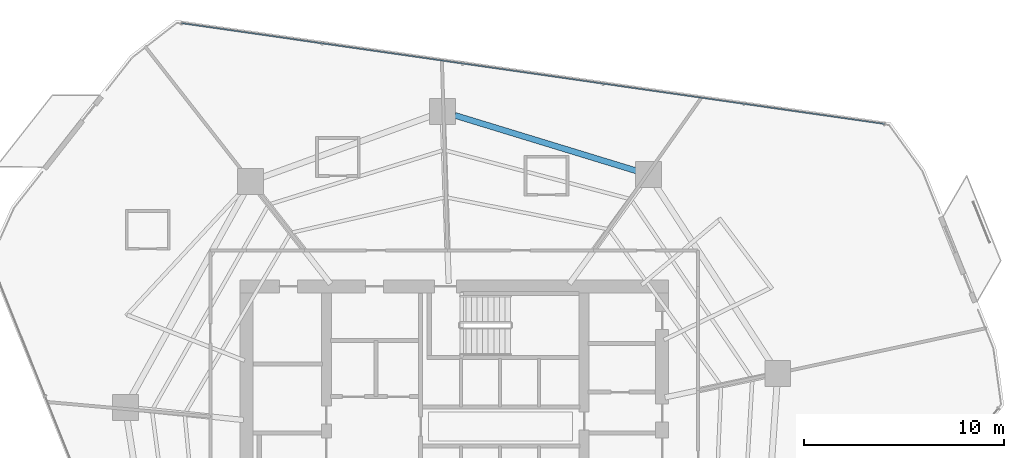
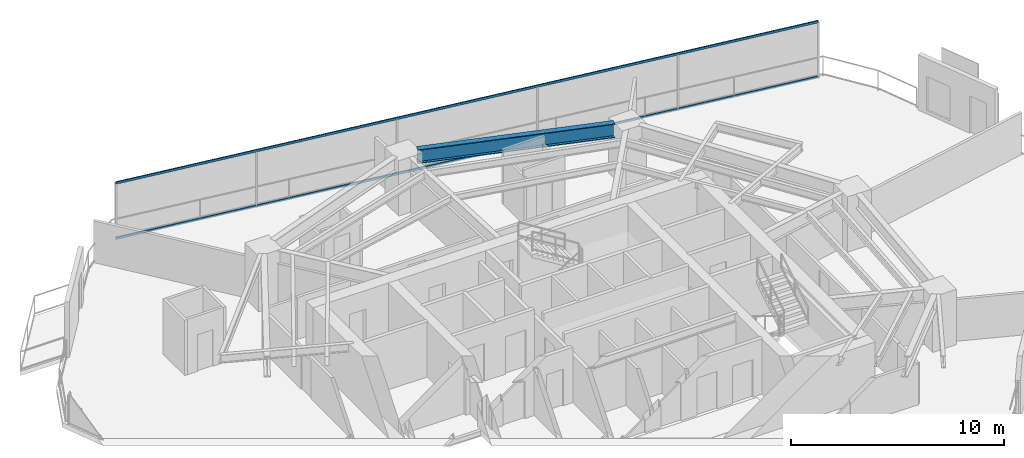
# One storey, part 21 of 32: 2 members, 1 beam, 1 element without a shape of its own.
"""IFC4 building model written with IfcOpenShell, lengths in metres."""

from ifc_helpers import new_model, si_unit, direction, frame, origin, origin_2d, place, context, subcontext, project, spatial, hollow_rectangle, i_section, extrude, material, layer, layer_set, material_profile, profile_set, type_object, element, aggregate, save


model = new_model("IFC4")

# Units and contexts
model_context = context("Model", 3, precision=1e-05, world=origin(), true_north=direction((0.0, 1.0)))
body_context = subcontext(model_context, "Body", "Model", "MODEL_VIEW")
ifc_project = project(units=[si_unit("LENGTHUNIT", "METRE"), si_unit("AREAUNIT", "SQUARE_METRE"), si_unit("VOLUMEUNIT", "CUBIC_METRE"), si_unit("PLANEANGLEUNIT", "RADIAN"), si_unit("MASSUNIT", "GRAM", prefix="KILO")], contexts=[model_context])

# Site, building, storey
site_placement = place(None, origin())
site = spatial("IfcSite", under=ifc_project, at=site_placement, CompositionType="ELEMENT")
building_placement = place(site_placement, origin())
building = spatial("IfcBuilding", under=site, at=building_placement, Name="Qarnah Convention Tower", CompositionType="ELEMENT")
storey_placement = place(building_placement, frame((0.0, 0.0, 37.35009765625)))
storey = spatial("IfcBuildingStorey", under=building, at=storey_placement, Name="L08", CompositionType="ELEMENT", Elevation=37.35009765625)

# Beam
ifc_material_1 = material(Name="Structural steel S355JR", Category="steel")
ifc_material_profile_1 = material_profile(ifc_material_1, i_section(OverallWidth=0.300048828125, OverallDepth=0.800048828125, WebThickness=0.01806640625, FlangeThickness=0.032958984375, at=origin_2d()), Name="HEB800")
ifc_profile_set_1 = profile_set([ifc_material_profile_1], Name="Structural steel S355JR")
beam_type = type_object("IfcBeamType", Name="BM-RING-HEB800", PredefinedType="BEAM", material=ifc_profile_set_1)
beam_placement = place(storey_placement, frame((46.31591796875, 39.97607421875, 2.77001953125), z_axis=(-0.956298871663, 0.292390950707, 0.0), x_axis=(-0.292390950707, -0.956298871663, 0.0)))
element("IfcBeam", 1, at=beam_placement, inside=storey, type_object=beam_type, Name="L08 beam BM-L08-SPN-02", PredefinedType="BEAM", context=body_context, shape_type="SweptSolid", body=[
    extrude(i_section(OverallWidth=0.300048828125, OverallDepth=0.800048828125, WebThickness=0.01806640625, FlangeThickness=0.032958984375, at=origin_2d()), origin(), (0.0, 0.0, 1.0), 9.4970703125),
])

# Curtain wall, members
ifc_material_2 = material(Name="Tempered Low-E dark glass", Category="glass")
ifc_layer = layer(ifc_material_2, 0.16796875)
ifc_layer_set = layer_set([ifc_layer], Name="Tempered Low-E dark glass")
curtain_wall_type = type_object("IfcCurtainWallType", Name="CWS-01", PredefinedType="NOTDEFINED", material=ifc_layer_set)
curtain_wall_placement = place(storey_placement, origin())
curtain_wall = element("IfcCurtainWall", 2, at=curtain_wall_placement, inside=storey, type_object=curtain_wall_type, Name="L08 unitised curtain wall CW-L08-F2", PredefinedType="NOTDEFINED")
ifc_material_3 = material(Name="Black anodised aluminium", Category="aluminium")
ifc_material_profile_2 = material_profile(ifc_material_3, hollow_rectangle(XDim=0.06005859375, YDim=0.1298828125, WallThickness=0.00390625, at=origin_2d()), Name="TRN-60X130")
ifc_profile_set_2 = profile_set([ifc_material_profile_2], Name="Black anodised aluminium")
member_type = type_object("IfcMemberType", Name="TRN-T1", PredefinedType="USERDEFINED", material=ifc_profile_set_2)
member_1_placement = place(storey_placement, frame((23.56103515625, 47.364990234375, 0.0), z_axis=(0.989874990563, -0.141941900288, 0.0), x_axis=(0.141941900288, 0.989874990563, 0.0)))
member_1 = element("IfcMember", 3, at=member_1_placement, type_object=member_type, Name="CW-L08-F2 transom 1", ObjectType="TRANSOM", PredefinedType="USERDEFINED", context=body_context, shape_type="SweptSolid", body=[
    extrude(hollow_rectangle(XDim=0.06005859375, YDim=0.1298828125, WallThickness=0.00390625, at=origin_2d()), origin(), (0.0, 0.0, 1.0), 35.521484375),
])
member_2_placement = place(storey_placement, frame((23.56103515625, 47.364990234375, 3.169921875), z_axis=(0.989874990563, -0.141941900288, 0.0), x_axis=(0.141941900288, 0.989874990563, 0.0)))
member_2 = element("IfcMember", 4, at=member_2_placement, type_object=member_type, Name="CW-L08-F2 transom 2", ObjectType="TRANSOM", PredefinedType="USERDEFINED", context=body_context, shape_type="SweptSolid", body=[
    extrude(hollow_rectangle(XDim=0.06005859375, YDim=0.1298828125, WallThickness=0.00390625, at=origin_2d()), origin(), (0.0, 0.0, 1.0), 35.521484375),
])
aggregate(curtain_wall, [member_1, member_2])

save(model, "model.ifc")
